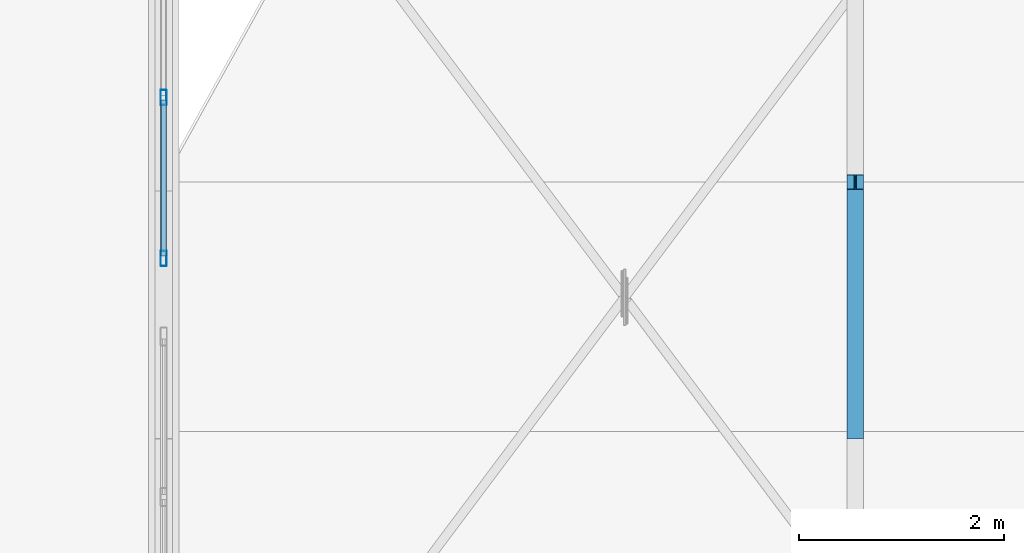
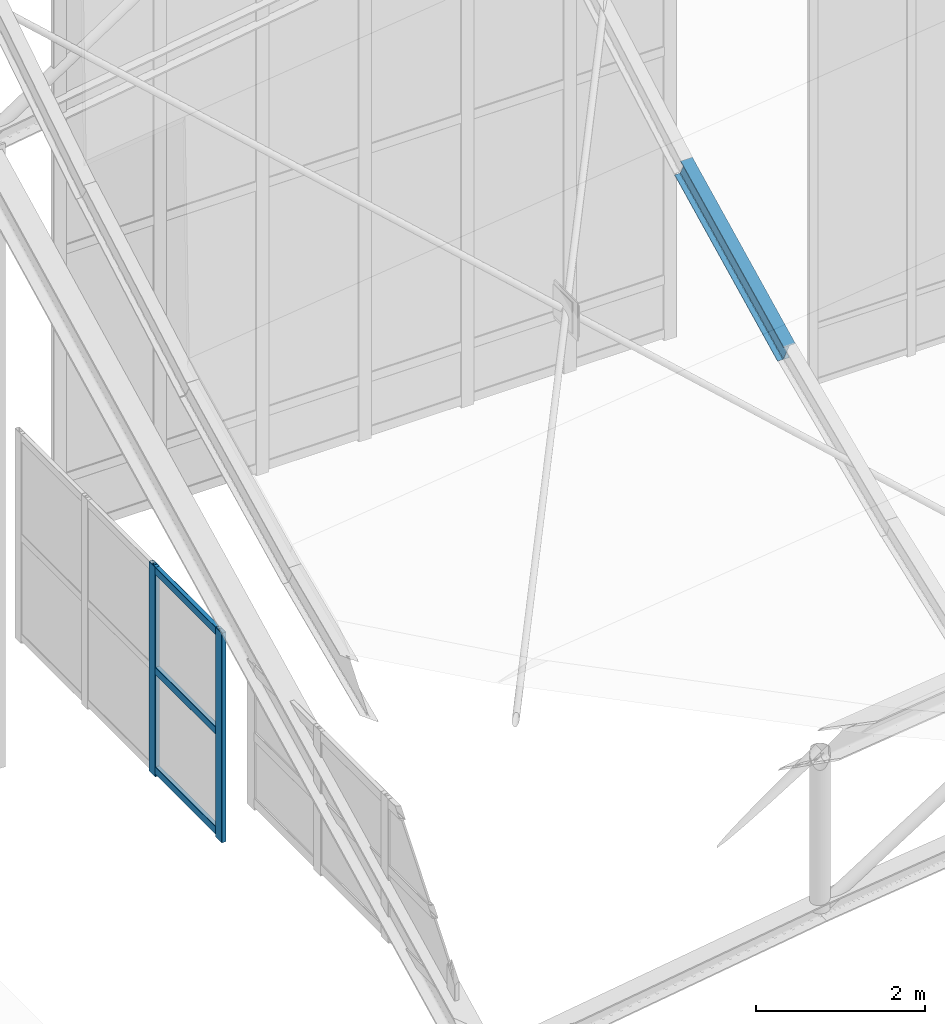
# One storey, part 114 of 262: 6 members, 1 element without a shape of its own.
"""IFC4 building model written with IfcOpenShell, lengths in metres."""

import ifcopenshell
import ifcopenshell.guid

model = None  # the IFC model being written
_history = None  # IfcOwnerHistory: only IFC2X3 demands one
_inside = {}  # id of a spatial element -> (the spatial element, [elements in it])
_under = {}  # id of a project, library or spatial element -> (it, [spatial elements below it])
_declared = {}  # id of a project -> (the project, [libraries it declares])
_typed = {}  # id of a type object -> (the type object, [elements of that type])
_made_of = {}  # id of a material, layer set ... -> (it, [elements and type objects made of it])


def new_model(schema):
    """Start an empty IFC model of exactly this schema.

    Asked for "IFC4X3", IfcOpenShell would pick the latest addendum, in which some entities
    have other attributes; the version numbers below select the first issue.
    IFC2X3 requires an IfcOwnerHistory on every rooted entity: one is made here for all.
    """
    global model, _history
    if schema == "IFC4X3":
        model = ifcopenshell.file(schema_version=(4, 3, 0, 0))
    else:
        model = ifcopenshell.file(schema=schema)
    _inside.clear()
    _under.clear()
    _declared.clear()
    _typed.clear()
    _made_of.clear()
    _history = None
    if model.schema == "IFC2X3":
        org = make("IfcOrganization", Name="unknown")
        user = make(
            "IfcPersonAndOrganization",
            ThePerson=make("IfcPerson", FamilyName="unknown"),
            TheOrganization=org,
        )
        app = make(
            "IfcApplication",
            ApplicationDeveloper=org,
            Version="unknown",
            ApplicationFullName="unknown",
            ApplicationIdentifier="unknown",
        )
        _history = make(
            "IfcOwnerHistory",
            OwningUser=user,
            OwningApplication=app,
            ChangeAction="ADDED",
            CreationDate=0,
        )
    return model


def make(cls, **values):
    """One entity of the class cls with the attributes given. An attribute that is None is left unset."""
    return model.create_entity(
        cls, **{name: value for name, value in values.items() if value is not None}
    )


def rooted(cls, **values):
    """An entity with a GlobalId (a new one), such as an element, a storey or a relation."""
    return make(cls, GlobalId=ifcopenshell.guid.new(), OwnerHistory=_history, **values)


def si_unit(unit_type, name, prefix=None):
    """IfcSIUnit, for example si_unit("LENGTHUNIT", "METRE", prefix="MILLI")."""
    return make("IfcSIUnit", UnitType=unit_type, Prefix=prefix, Name=name)


def derived_unit(unit_type, elements):
    """IfcDerivedUnit: a product of units, each with its exponent."""
    return make(
        "IfcDerivedUnit",
        Elements=[
            make("IfcDerivedUnitElement", Unit=unit, Exponent=power)
            for unit, power in elements
        ],
        UnitType=unit_type,
    )


def assignment(units):
    """IfcUnitAssignment: the units of a project."""
    return None if units is None else make("IfcUnitAssignment", Units=units)


def point(xyz):
    """IfcCartesianPoint."""
    return None if xyz is None else make("IfcCartesianPoint", Coordinates=xyz)


def direction(xyz):
    """IfcDirection."""
    return None if xyz is None else make("IfcDirection", DirectionRatios=xyz)


def frame(location, z_axis=None, x_axis=None):
    """IfcAxis2Placement3D, a coordinate frame: its origin and axes. An axis left out is left unset."""
    return make(
        "IfcAxis2Placement3D",
        Location=point(location),
        Axis=direction(z_axis),
        RefDirection=direction(x_axis),
    )


def frame_2d(location, x_axis=None):
    """IfcAxis2Placement2D, a coordinate frame in the plane: its origin and x axis."""
    return make(
        "IfcAxis2Placement2D", Location=point(location), RefDirection=direction(x_axis)
    )


def origin():
    """The frame at (0, 0, 0) with its axes left unset."""
    return frame((0.0, 0.0, 0.0))


def origin_2d():
    """The frame at (0, 0) in the plane with its x axis left unset."""
    return frame_2d((0.0, 0.0))


def place(relative_to, where):
    """IfcLocalPlacement: puts the frame where relative to a parent placement (None: the world)."""
    return make(
        "IfcLocalPlacement", PlacementRelTo=relative_to, RelativePlacement=where
    )


def context(
    kind, dimensions, precision=None, world=None, true_north=None, identifier=None
):
    """IfcGeometricRepresentationContext, for example the 3D "Model" context."""
    return make(
        "IfcGeometricRepresentationContext",
        ContextIdentifier=identifier,
        ContextType=kind,
        CoordinateSpaceDimension=dimensions,
        Precision=precision,
        WorldCoordinateSystem=world,
        TrueNorth=true_north,
    )


def subcontext(parent, identifier, kind, view, scale=None):
    """IfcGeometricRepresentationSubContext, for example "Body" below "Model"."""
    return make(
        "IfcGeometricRepresentationSubContext",
        ContextIdentifier=identifier,
        ContextType=kind,
        ParentContext=parent,
        TargetScale=scale,
        TargetView=view,
    )


def project(units=None, contexts=None):
    """IfcProject with its units and contexts."""
    return rooted(
        "IfcProject",
        Name="project",
        RepresentationContexts=contexts,
        UnitsInContext=assignment(units),
    )


def spatial(cls, under=None, at=None, **own):
    """A site, building, storey or space (cls), placed at a placement, below another one or the project."""
    s = rooted(cls, ObjectPlacement=at, **own)
    if under is not None:
        _under.setdefault(under.id(), (under, []))[1].append(s)
    return s


def profile(cls, at=None, kind="AREA", **sizes):
    """A parametric profile (cls). Its sizes go by their IFC names, for example OverallWidth=200.0."""
    return make(cls, ProfileType=kind, Position=at, **sizes)


def hollow_rectangle(**sizes):
    """IfcRectangleHollowProfileDef."""
    return profile("IfcRectangleHollowProfileDef", **sizes)


def i_section(**sizes):
    """IfcIShapeProfileDef."""
    return profile("IfcIShapeProfileDef", **sizes)


def extrude(swept, where, along, depth):
    """IfcExtrudedAreaSolid: the profile swept, set in the frame where, extruded along a direction by depth."""
    return make(
        "IfcExtrudedAreaSolid",
        SweptArea=swept,
        Position=where,
        ExtrudedDirection=direction(along),
        Depth=depth,
    )


def shape(context_of_items, identifier, shape_type, items):
    """IfcShapeRepresentation: the items that make up one representation, for example the "Body"."""
    return make(
        "IfcShapeRepresentation",
        ContextOfItems=context_of_items,
        RepresentationIdentifier=identifier,
        RepresentationType=shape_type,
        Items=items,
    )


def material(Name=None, Category=None):
    """IfcMaterial."""
    return make("IfcMaterial", Name=Name, Category=Category)


def layer(
    of_material, thickness, ventilated=None, Name=None, Category=None, Priority=None
):
    """IfcMaterialLayer: one layer of a wall or slab, of a material (None: an air gap)."""
    return make(
        "IfcMaterialLayer",
        Material=of_material,
        LayerThickness=thickness,
        IsVentilated=ventilated,
        Name=Name,
        Category=Category,
        Priority=Priority,
    )


def layer_set(layers, Name=None):
    """IfcMaterialLayerSet."""
    return make("IfcMaterialLayerSet", MaterialLayers=layers, LayerSetName=Name)


def material_profile(
    of_material, cross_section, Name=None, Category=None, Priority=None
):
    """IfcMaterialProfile: a cross section and its material."""
    return make(
        "IfcMaterialProfile",
        Name=Name,
        Material=of_material,
        Profile=cross_section,
        Priority=Priority,
        Category=Category,
    )


def profile_set(profiles, Name=None, composite=None):
    """IfcMaterialProfileSet."""
    return make(
        "IfcMaterialProfileSet",
        Name=Name,
        MaterialProfiles=profiles,
        CompositeProfile=composite,
    )


def made_of(thing, what):
    """Note that an element or type object is made of a material, layer set ...; save() writes the relation."""
    if what is not None:
        _made_of.setdefault(what.id(), (what, []))[1].append(thing)
    return thing


def type_object(cls, material=None, **own):
    """A type object (cls), such as IfcWallType, which elements share."""
    return made_of(rooted(cls, **own), material)


def element(
    cls,
    number,
    at=None,
    inside=None,
    cuts=None,
    type_object=None,
    material=None,
    context=None,
    identifier="Body",
    shape_type=None,
    held_by="IfcProductDefinitionShape",
    body=None,
    shapes=None,
    **own,
):
    """One element of the class cls, such as IfcWall. Its Tag is "e" and its number.

    at: its placement. inside: the storey or other place that contains it. cuts: it is an
    opening in that element (IfcRelVoidsElement). A single representation is given by context,
    identifier, shape_type and body (its items); several are given by shapes. held_by: the class
    of the entity that holds the representations. save() writes the other relations.
    """
    e = rooted(cls, Tag="e%d" % number, ObjectPlacement=at, **own)
    if body is not None:
        shapes = [shape(context, identifier, shape_type, body)]
    if shapes is not None:
        e.Representation = make(held_by, Representations=shapes)
    if inside is not None:
        _inside.setdefault(inside.id(), (inside, []))[1].append(e)
    if cuts is not None:
        rooted(
            "IfcRelVoidsElement", RelatingBuildingElement=cuts, RelatedOpeningElement=e
        )
    if type_object is not None:
        _typed.setdefault(type_object.id(), (type_object, []))[1].append(e)
    return made_of(e, material)


def aggregate(whole, parts):
    """IfcRelAggregates: a whole, such as a stair, and the parts it consists of."""
    return rooted("IfcRelAggregates", RelatingObject=whole, RelatedObjects=parts)


def save(model, path):
    """Write the relations noted so far, then the file.

    IfcRelAggregates (storeys below a building ...), IfcRelContainedInSpatialStructure (elements
    in a storey), IfcRelDefinesByType, IfcRelAssociatesMaterial and IfcRelDeclares: one each for
    every whole, place, type object, material and project.
    """
    for whole, parts in _under.values():
        aggregate(whole, parts)
    for where, things in _inside.values():
        rooted(
            "IfcRelContainedInSpatialStructure",
            RelatedElements=things,
            RelatingStructure=where,
        )
    for kind, things in _typed.values():
        rooted("IfcRelDefinesByType", RelatedObjects=things, RelatingType=kind)
    for what, things in _made_of.values():
        rooted("IfcRelAssociatesMaterial", RelatedObjects=things, RelatingMaterial=what)
    for by, libraries in _declared.values():
        rooted("IfcRelDeclares", RelatingContext=by, RelatedDefinitions=libraries)
    model.write(path)


model = new_model("IFC4")

# Units and contexts
model_context = context("Model", 3, precision=1e-05, world=origin(), true_north=direction((0.0, 1.0)))
body_context = subcontext(model_context, "Body", "Model", "MODEL_VIEW")
ifc_project = project(units=[si_unit("LENGTHUNIT", "METRE"), si_unit("AREAUNIT", "SQUARE_METRE"), si_unit("VOLUMEUNIT", "CUBIC_METRE"), si_unit("PLANEANGLEUNIT", "RADIAN"), si_unit("MASSUNIT", "GRAM", prefix="KILO"), derived_unit("THERMALTRANSMITTANCEUNIT", [(si_unit("POWERUNIT", "WATT"), 1), (si_unit("LENGTHUNIT", "METRE"), -2), (si_unit("THERMODYNAMICTEMPERATUREUNIT", "KELVIN"), -1)])], contexts=[model_context])

# Site, building, storey
site_placement = place(None, origin())
site = spatial("IfcSite", under=ifc_project, at=site_placement, CompositionType="ELEMENT")
building_placement = place(site_placement, origin())
building = spatial("IfcBuilding", under=site, at=building_placement, Name="Almenara Railside Exhibition Hall", CompositionType="ELEMENT")
storey_placement = place(building_placement, frame((0.0, 0.0, 21.699951171875)))
storey = spatial("IfcBuildingStorey", under=building, at=storey_placement, Name="RF", CompositionType="ELEMENT", Elevation=21.699951171875)

# Curtain wall, members
ifc_material_1 = material(Name="Bronze-anodised aluminium and low-E double glazing", Category="aluminium")
ifc_layer = layer(ifc_material_1, 0.179931640625, Name="Bronze-anodised aluminium and low-E double glazing")
ifc_layer_set = layer_set([ifc_layer], Name="Bronze-anodised aluminium and low-E double glazing")
curtain_wall_type = type_object("IfcCurtainWallType", Name="West Hall Clerestory Curtain Wall 4200x2400", PredefinedType="NOTDEFINED", material=ifc_layer_set)
curtain_wall_placement = place(storey_placement, origin())
curtain_wall = element("IfcCurtainWall", 1, at=curtain_wall_placement, inside=storey, type_object=curtain_wall_type, Name="Curtain wall CW-CL1-193", PredefinedType="NOTDEFINED")
ifc_material_2 = material(Name="Bronze-anodised aluminium", Category="aluminium")
ifc_material_profile_1 = material_profile(ifc_material_2, hollow_rectangle(XDim=0.06005859375, YDim=0.14990234375, WallThickness=0.00341796875, InnerFilletRadius=0.00341796875, OuterFilletRadius=0.007080078125, at=origin_2d()), Name="ALU-MUL 60x150x3.5")
ifc_profile_set_1 = profile_set([ifc_material_profile_1], Name="Bronze-anodised aluminium")
member_type_1 = type_object("IfcMemberType", Name="Curtain Wall Mullion 60x150x3.5", PredefinedType="MULLION", material=ifc_profile_set_1)
member_1_placement = place(storey_placement, frame((12.0, 126.3798828125, -0.0849609375), z_axis=(0.0, 0.0, 1.0), x_axis=(-1.0, 0.0, 0.0)))
member_1 = element("IfcMember", 2, at=member_1_placement, type_object=member_type_1, Name="CW-CL1-193 mullion 1", PredefinedType="MULLION", context=body_context, shape_type="SweptSolid", body=[
    extrude(hollow_rectangle(XDim=0.06005859375, YDim=0.14990234375, WallThickness=0.00341796875, InnerFilletRadius=0.00341796875, OuterFilletRadius=0.007080078125, at=origin_2d()), origin(), (0.0, 0.0, 1.0), 3.02490234375),
])
member_2_placement = place(storey_placement, frame((12.0, 127.949951171875, -0.0849609375), z_axis=(0.0, 0.0, 1.0), x_axis=(-1.0, 0.0, 0.0)))
member_2 = element("IfcMember", 3, at=member_2_placement, type_object=member_type_1, Name="CW-CL1-193 mullion 2", PredefinedType="MULLION", context=body_context, shape_type="SweptSolid", body=[
    extrude(hollow_rectangle(XDim=0.06005859375, YDim=0.14990234375, WallThickness=0.00341796875, InnerFilletRadius=0.00341796875, OuterFilletRadius=0.007080078125, at=origin_2d()), origin(), (0.0, 0.0, 1.0), 3.02490234375),
])
ifc_material_profile_2 = material_profile(ifc_material_2, hollow_rectangle(XDim=0.06005859375, YDim=0.110107421875, WallThickness=0.0029296875, InnerFilletRadius=0.0029296875, OuterFilletRadius=0.006103515625, at=origin_2d()), Name="ALU-TRN 60x110x3")
ifc_profile_set_2 = profile_set([ifc_material_profile_2], Name="Bronze-anodised aluminium")
member_type_2 = type_object("IfcMemberType", Name="Curtain Wall Transom 60x110x3", PredefinedType="USERDEFINED", material=ifc_profile_set_2)
member_3_placement = place(storey_placement, frame((12.0, 126.402099609375, 0.005126953125), z_axis=(0.0, 1.0, 0.0), x_axis=(-1.0, 0.0, 0.0)))
member_3 = element("IfcMember", 4, at=member_3_placement, type_object=member_type_2, Name="CW-CL1-193 transom 1.1", ObjectType="TRANSOM", PredefinedType="USERDEFINED", context=body_context, shape_type="SweptSolid", body=[
    extrude(hollow_rectangle(XDim=0.06005859375, YDim=0.110107421875, WallThickness=0.0029296875, InnerFilletRadius=0.0029296875, OuterFilletRadius=0.006103515625, at=origin_2d()), origin(), (0.0, 0.0, 1.0), 1.52587890625),
])
member_4_placement = place(storey_placement, frame((12.0, 126.402099609375, 1.445068359375), z_axis=(0.0, 1.0, 0.0), x_axis=(-1.0, 0.0, 0.0)))
member_4 = element("IfcMember", 5, at=member_4_placement, type_object=member_type_2, Name="CW-CL1-193 transom 1.2", ObjectType="TRANSOM", PredefinedType="USERDEFINED", context=body_context, shape_type="SweptSolid", body=[
    extrude(hollow_rectangle(XDim=0.06005859375, YDim=0.110107421875, WallThickness=0.0029296875, InnerFilletRadius=0.0029296875, OuterFilletRadius=0.006103515625, at=origin_2d()), origin(), (0.0, 0.0, 1.0), 1.52587890625),
])
member_5_placement = place(storey_placement, frame((12.0, 126.402099609375, 2.885009765625), z_axis=(0.0, 1.0, 0.0), x_axis=(-1.0, 0.0, 0.0)))
member_5 = element("IfcMember", 6, at=member_5_placement, type_object=member_type_2, Name="CW-CL1-193 transom 1.3", ObjectType="TRANSOM", PredefinedType="USERDEFINED", context=body_context, shape_type="SweptSolid", body=[
    extrude(hollow_rectangle(XDim=0.06005859375, YDim=0.110107421875, WallThickness=0.0029296875, InnerFilletRadius=0.0029296875, OuterFilletRadius=0.006103515625, at=origin_2d()), origin(), (0.0, 0.0, 1.0), 1.52587890625),
])
aggregate(curtain_wall, [member_1, member_2, member_3, member_4, member_5])

# Member
ifc_material_3 = material(Name="Structural steel S355JR", Category="steel")
ifc_material_profile_3 = material_profile(ifc_material_3, i_section(OverallWidth=0.159912109375, OverallDepth=0.330078125, WebThickness=0.007568359375, FlangeThickness=0.011474609375, FilletRadius=0.01806640625, at=origin_2d()), Name="IPE 330")
ifc_profile_set_3 = profile_set([ifc_material_profile_3], Name="Structural steel S355JR")
member_type_3 = type_object("IfcMemberType", Name="Gable Bay Purlin IPE 330 S355JR", PredefinedType="PURLIN", material=ifc_profile_set_3)
member_6_placement = place(storey_placement, frame((18.75, 124.68994140625, 5.60205078125), z_axis=(0.0, 0.895376074457, 0.445310773831), x_axis=(-1.0, 0.0, 0.0)))
element("IfcMember", 7, at=member_6_placement, inside=storey, type_object=member_type_3, Name="MEM-PR-V1-PR-IPE330-01-25", PredefinedType="PURLIN", context=body_context, shape_type="SweptSolid", body=[
    extrude(i_section(OverallWidth=0.159912109375, OverallDepth=0.330078125, WebThickness=0.007568359375, FlangeThickness=0.011474609375, FilletRadius=0.01806640625, at=origin_2d()), origin(), (0.0, 0.0, 1.0), 2.721435546875),
])

save(model, "model.ifc")
